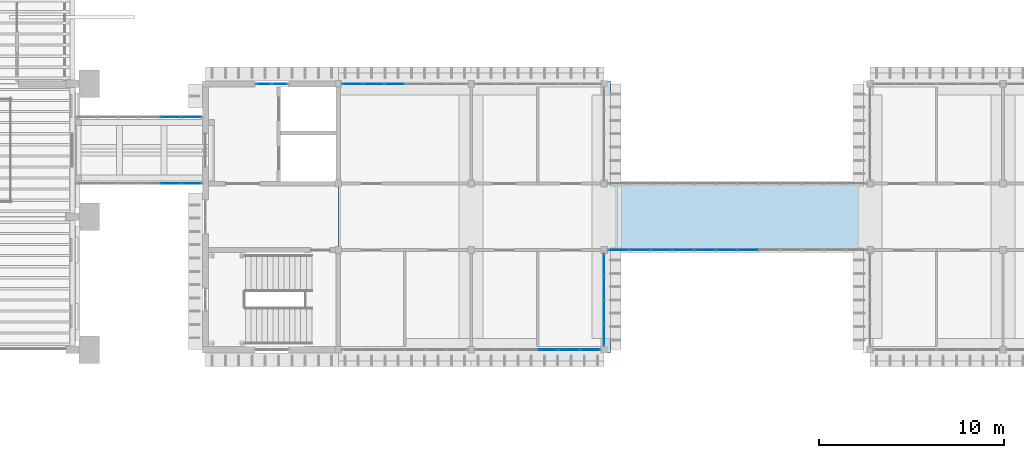
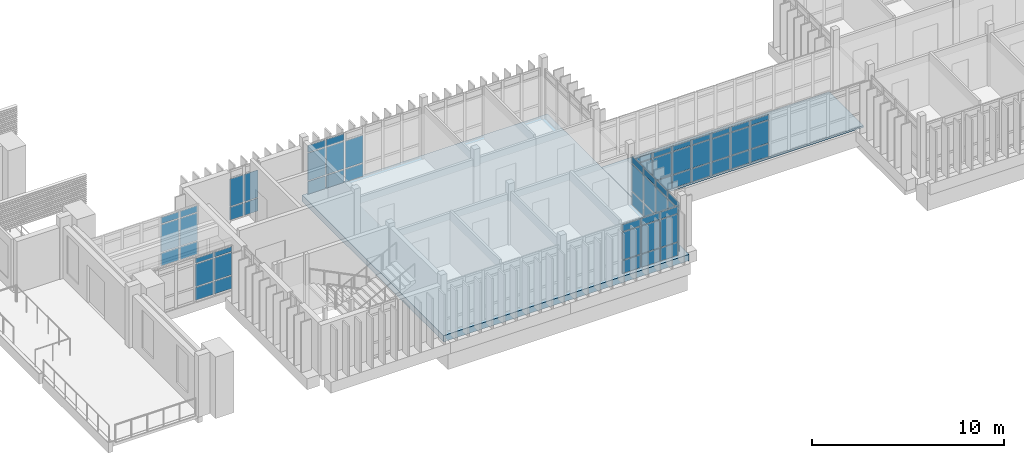
# One storey, part 31 of 69: 66 plates, 2 slabs, 7 elements without a shape of their own.
"""IFC4 building model written with IfcOpenShell, lengths in metres."""

from ifc_helpers import new_model, si_unit, direction, frame, origin, origin_2d, place, context, subcontext, project, spatial, polyline, rectangle, outline, extrude, material, layer, layer_set, type_object, element, aggregate, save


model = new_model("IFC4")

# Units and contexts
model_context = context("Model", 3, precision=1e-05, world=origin(), true_north=direction((0.0, 1.0)))
body_context = subcontext(model_context, "Body", "Model", "MODEL_VIEW")
ifc_project = project(units=[si_unit("LENGTHUNIT", "METRE"), si_unit("AREAUNIT", "SQUARE_METRE"), si_unit("VOLUMEUNIT", "CUBIC_METRE"), si_unit("PLANEANGLEUNIT", "RADIAN"), si_unit("MASSUNIT", "GRAM", prefix="KILO")], contexts=[model_context])

# Site, building, storey
site_placement = place(None, origin())
site = spatial("IfcSite", under=ifc_project, at=site_placement, CompositionType="ELEMENT")
building_placement = place(site_placement, origin())
building = spatial("IfcBuilding", under=site, at=building_placement, Name="Mazhai Court Health Centre", CompositionType="ELEMENT")
storey_placement = place(building_placement, frame((0.0, 0.0, 6.300048828125)))
storey = spatial("IfcBuildingStorey", under=building, at=storey_placement, Name="L01", CompositionType="ELEMENT", Elevation=6.300048828125)

# Slab
ifc_material_1 = material(Name="CLT C24 5-ply", Category="wood")
ifc_layer_1 = layer(ifc_material_1, 0.1201171875)
ifc_layer_set_1 = layer_set([ifc_layer_1], Name="CLT C24 5-ply 120 floor panel")
slab_type_1 = type_object("IfcSlabType", Name="CLT C24 5-ply 120 floor panel", PredefinedType="FLOOR", material=ifc_layer_set_1)
slab_1_placement = place(storey_placement, frame((0.0, 0.0, -0.1201171875)))
element("IfcSlab", 1, at=slab_1_placement, inside=storey, type_object=slab_type_1, Name="slab-BR-LC1", PredefinedType="FLOOR", context=body_context, shape_type="SweptSolid", body=[
    extrude(outline(polyline([(92.9599609375, 18.820068359375), (106.639892578125, 18.820068359375), (106.639892578125, 22.3798828125), (92.9599609375, 22.3798828125), (92.9599609375, 18.820068359375)])), origin(), (0.0, 0.0, 1.0), 0.1201171875),
])

# Curtain wall, plates
ifc_material_2 = material(Name="Teak timber frame, glazed", Category="wood")
ifc_layer_2 = layer(ifc_material_2, 0.10009765625)
ifc_layer_set_2 = layer_set([ifc_layer_2], Name="CURTAIN WALL TIMBER 900")
curtain_wall_type_1 = type_object("IfcCurtainWallType", Name="CURTAIN WALL TIMBER 900", PredefinedType="NOTDEFINED", material=ifc_layer_set_2)
curtain_wall_1_placement = place(storey_placement, origin())
curtain_wall_1 = element("IfcCurtainWall", 2, at=curtain_wall_1_placement, inside=storey, type_object=curtain_wall_type_1, Name="CW-V4-L01-B0", PredefinedType="NOTDEFINED")
ifc_material_3 = material(Name="Glass IGU 28 mm", Category="glass")
ifc_layer_3 = layer(ifc_material_3, 0.028076171875)
ifc_layer_set_3 = layer_set([ifc_layer_3], Name="CW PANEL IGU 28")
plate_type = type_object("IfcPlateType", Name="CW PANEL IGU 28", PredefinedType="CURTAIN_PANEL", material=ifc_layer_set_3)
plate_1_placement = place(storey_placement, frame((74.1650390625, 27.800048828125, 0.059814453125), z_axis=(0.0, 0.0, 1.0), x_axis=(1.0, 0.0, 0.0)))
plate_1 = element("IfcPlate", 3, at=plate_1_placement, type_object=plate_type, Name="CW panel 1.1", PredefinedType="CURTAIN_PANEL", context=body_context, shape_type="SweptSolid", body=[
    extrude(rectangle(XDim=0.81005859375, YDim=0.028076171875, at=origin_2d()), origin(), (0.0, 0.0, 1.0), 0.81005859375),
])
plate_2_placement = place(storey_placement, frame((74.1650390625, 27.800048828125, 0.93017578125), z_axis=(0.0, 0.0, 1.0), x_axis=(1.0, 0.0, 0.0)))
plate_2 = element("IfcPlate", 4, at=plate_2_placement, type_object=plate_type, Name="CW panel 1.2", PredefinedType="CURTAIN_PANEL", context=body_context, shape_type="SweptSolid", body=[
    extrude(rectangle(XDim=0.81005859375, YDim=0.028076171875, at=origin_2d()), origin(), (0.0, 0.0, 1.0), 1.739990234375),
])
plate_3_placement = place(storey_placement, frame((75.034912109375, 27.800048828125, 0.059814453125), z_axis=(0.0, 0.0, 1.0), x_axis=(1.0, 0.0, 0.0)))
plate_3 = element("IfcPlate", 5, at=plate_3_placement, type_object=plate_type, Name="CW panel 2.1", PredefinedType="CURTAIN_PANEL", context=body_context, shape_type="SweptSolid", body=[
    extrude(rectangle(XDim=0.81005859375, YDim=0.028076171875, at=origin_2d()), origin(), (0.0, 0.0, 1.0), 0.81005859375),
])
plate_4_placement = place(storey_placement, frame((75.034912109375, 27.800048828125, 0.93017578125), z_axis=(0.0, 0.0, 1.0), x_axis=(1.0, 0.0, 0.0)))
plate_4 = element("IfcPlate", 6, at=plate_4_placement, type_object=plate_type, Name="CW panel 2.2", PredefinedType="CURTAIN_PANEL", context=body_context, shape_type="SweptSolid", body=[
    extrude(rectangle(XDim=0.81005859375, YDim=0.028076171875, at=origin_2d()), origin(), (0.0, 0.0, 1.0), 1.739990234375),
])
aggregate(curtain_wall_1, [plate_1, plate_2, plate_3, plate_4])

ifc_material_4 = material(Name="Teak timber frame, glazed", Category="wood")
ifc_layer_4 = layer(ifc_material_4, 0.10009765625)
ifc_layer_set_4 = layer_set([ifc_layer_4], Name="CURTAIN WALL TIMBER 1200")
curtain_wall_type_2 = type_object("IfcCurtainWallType", Name="CURTAIN WALL TIMBER 1200", PredefinedType="NOTDEFINED", material=ifc_layer_set_4)
curtain_wall_2_placement = place(storey_placement, origin())
curtain_wall_2 = element("IfcCurtainWall", 7, at=curtain_wall_2_placement, inside=storey, type_object=curtain_wall_type_2, Name="CW-V4-L01-A2", PredefinedType="NOTDEFINED")
plate_5_placement = place(storey_placement, frame((91.8349609375, 13.39990234375, 0.059814453125), z_axis=(0.0, 0.0, 1.0), x_axis=(-1.0, 0.0, 0.0)))
plate_5 = element("IfcPlate", 8, at=plate_5_placement, type_object=plate_type, Name="CW panel 1.1", PredefinedType="CURTAIN_PANEL", context=body_context, shape_type="SweptSolid", body=[
    extrude(rectangle(XDim=1.050048828125, YDim=0.028076171875, at=origin_2d()), origin(), (0.0, 0.0, 1.0), 0.81005859375),
])
plate_6_placement = place(storey_placement, frame((91.8349609375, 13.39990234375, 0.93017578125), z_axis=(0.0, 0.0, 1.0), x_axis=(-1.0, 0.0, 0.0)))
plate_6 = element("IfcPlate", 9, at=plate_6_placement, type_object=plate_type, Name="CW panel 1.2", PredefinedType="CURTAIN_PANEL", context=body_context, shape_type="SweptSolid", body=[
    extrude(rectangle(XDim=1.050048828125, YDim=0.028076171875, at=origin_2d()), origin(), (0.0, 0.0, 1.0), 1.739990234375),
])
plate_7_placement = place(storey_placement, frame((91.8349609375, 13.39990234375, 2.72998046875), z_axis=(0.0, 0.0, 1.0), x_axis=(-1.0, 0.0, 0.0)))
plate_7 = element("IfcPlate", 10, at=plate_7_placement, type_object=plate_type, Name="CW panel 1.3", PredefinedType="CURTAIN_PANEL", context=body_context, shape_type="SweptSolid", body=[
    extrude(rectangle(XDim=1.050048828125, YDim=0.028076171875, at=origin_2d()), origin(), (0.0, 0.0, 1.0), 0.429931640625),
])
plate_8_placement = place(storey_placement, frame((90.7099609375, 13.39990234375, 0.059814453125), z_axis=(0.0, 0.0, 1.0), x_axis=(-1.0, 0.0, 0.0)))
plate_8 = element("IfcPlate", 11, at=plate_8_placement, type_object=plate_type, Name="CW panel 2.1", PredefinedType="CURTAIN_PANEL", context=body_context, shape_type="SweptSolid", body=[
    extrude(rectangle(XDim=1.080078125, YDim=0.028076171875, at=origin_2d()), origin(), (0.0, 0.0, 1.0), 0.81005859375),
])
plate_9_placement = place(storey_placement, frame((90.7099609375, 13.39990234375, 0.93017578125), z_axis=(0.0, 0.0, 1.0), x_axis=(-1.0, 0.0, 0.0)))
plate_9 = element("IfcPlate", 12, at=plate_9_placement, type_object=plate_type, Name="CW panel 2.2", PredefinedType="CURTAIN_PANEL", context=body_context, shape_type="SweptSolid", body=[
    extrude(rectangle(XDim=1.080078125, YDim=0.028076171875, at=origin_2d()), origin(), (0.0, 0.0, 1.0), 1.739990234375),
])
plate_10_placement = place(storey_placement, frame((90.7099609375, 13.39990234375, 2.72998046875), z_axis=(0.0, 0.0, 1.0), x_axis=(-1.0, 0.0, 0.0)))
plate_10 = element("IfcPlate", 13, at=plate_10_placement, type_object=plate_type, Name="CW panel 2.3", PredefinedType="CURTAIN_PANEL", context=body_context, shape_type="SweptSolid", body=[
    extrude(rectangle(XDim=1.080078125, YDim=0.028076171875, at=origin_2d()), origin(), (0.0, 0.0, 1.0), 0.429931640625),
])
plate_11_placement = place(storey_placement, frame((89.570068359375, 13.39990234375, 0.059814453125), z_axis=(0.0, 0.0, 1.0), x_axis=(-1.0, 0.0, 0.0)))
plate_11 = element("IfcPlate", 14, at=plate_11_placement, type_object=plate_type, Name="CW panel 3.1", PredefinedType="CURTAIN_PANEL", context=body_context, shape_type="SweptSolid", body=[
    extrude(rectangle(XDim=1.080078125, YDim=0.028076171875, at=origin_2d()), origin(), (0.0, 0.0, 1.0), 0.81005859375),
])
plate_12_placement = place(storey_placement, frame((89.570068359375, 13.39990234375, 0.93017578125), z_axis=(0.0, 0.0, 1.0), x_axis=(-1.0, 0.0, 0.0)))
plate_12 = element("IfcPlate", 15, at=plate_12_placement, type_object=plate_type, Name="CW panel 3.2", PredefinedType="CURTAIN_PANEL", context=body_context, shape_type="SweptSolid", body=[
    extrude(rectangle(XDim=1.080078125, YDim=0.028076171875, at=origin_2d()), origin(), (0.0, 0.0, 1.0), 1.739990234375),
])
plate_13_placement = place(storey_placement, frame((89.570068359375, 13.39990234375, 2.72998046875), z_axis=(0.0, 0.0, 1.0), x_axis=(-1.0, 0.0, 0.0)))
plate_13 = element("IfcPlate", 16, at=plate_13_placement, type_object=plate_type, Name="CW panel 3.3", PredefinedType="CURTAIN_PANEL", context=body_context, shape_type="SweptSolid", body=[
    extrude(rectangle(XDim=1.080078125, YDim=0.028076171875, at=origin_2d()), origin(), (0.0, 0.0, 1.0), 0.429931640625),
])
aggregate(curtain_wall_2, [plate_5, plate_6, plate_7, plate_8, plate_9, plate_10, plate_11, plate_12, plate_13])

curtain_wall_3_placement = place(storey_placement, origin())
curtain_wall_3 = element("IfcCurtainWall", 17, at=curtain_wall_3_placement, inside=storey, type_object=curtain_wall_type_2, Name="CW-V4-L01-B1", PredefinedType="NOTDEFINED")
plate_14_placement = place(storey_placement, frame((78.965087890625, 27.800048828125, 0.059814453125), z_axis=(0.0, 0.0, 1.0), x_axis=(1.0, 0.0, 0.0)))
plate_14 = element("IfcPlate", 18, at=plate_14_placement, type_object=plate_type, Name="CW panel 1.1", PredefinedType="CURTAIN_PANEL", context=body_context, shape_type="SweptSolid", body=[
    extrude(rectangle(XDim=1.050048828125, YDim=0.028076171875, at=origin_2d()), origin(), (0.0, 0.0, 1.0), 0.81005859375),
])
plate_15_placement = place(storey_placement, frame((78.965087890625, 27.800048828125, 0.93017578125), z_axis=(0.0, 0.0, 1.0), x_axis=(1.0, 0.0, 0.0)))
plate_15 = element("IfcPlate", 19, at=plate_15_placement, type_object=plate_type, Name="CW panel 1.2", PredefinedType="CURTAIN_PANEL", context=body_context, shape_type="SweptSolid", body=[
    extrude(rectangle(XDim=1.050048828125, YDim=0.028076171875, at=origin_2d()), origin(), (0.0, 0.0, 1.0), 1.739990234375),
])
plate_16_placement = place(storey_placement, frame((78.965087890625, 27.800048828125, 2.72998046875), z_axis=(0.0, 0.0, 1.0), x_axis=(1.0, 0.0, 0.0)))
plate_16 = element("IfcPlate", 20, at=plate_16_placement, type_object=plate_type, Name="CW panel 1.3", PredefinedType="CURTAIN_PANEL", context=body_context, shape_type="SweptSolid", body=[
    extrude(rectangle(XDim=1.050048828125, YDim=0.028076171875, at=origin_2d()), origin(), (0.0, 0.0, 1.0), 0.429931640625),
])
plate_17_placement = place(storey_placement, frame((80.090087890625, 27.800048828125, 0.059814453125), z_axis=(0.0, 0.0, 1.0), x_axis=(1.0, 0.0, 0.0)))
plate_17 = element("IfcPlate", 21, at=plate_17_placement, type_object=plate_type, Name="CW panel 2.1", PredefinedType="CURTAIN_PANEL", context=body_context, shape_type="SweptSolid", body=[
    extrude(rectangle(XDim=1.080078125, YDim=0.028076171875, at=origin_2d()), origin(), (0.0, 0.0, 1.0), 0.81005859375),
])
plate_18_placement = place(storey_placement, frame((80.090087890625, 27.800048828125, 0.93017578125), z_axis=(0.0, 0.0, 1.0), x_axis=(1.0, 0.0, 0.0)))
plate_18 = element("IfcPlate", 22, at=plate_18_placement, type_object=plate_type, Name="CW panel 2.2", PredefinedType="CURTAIN_PANEL", context=body_context, shape_type="SweptSolid", body=[
    extrude(rectangle(XDim=1.080078125, YDim=0.028076171875, at=origin_2d()), origin(), (0.0, 0.0, 1.0), 1.739990234375),
])
plate_19_placement = place(storey_placement, frame((80.090087890625, 27.800048828125, 2.72998046875), z_axis=(0.0, 0.0, 1.0), x_axis=(1.0, 0.0, 0.0)))
plate_19 = element("IfcPlate", 23, at=plate_19_placement, type_object=plate_type, Name="CW panel 2.3", PredefinedType="CURTAIN_PANEL", context=body_context, shape_type="SweptSolid", body=[
    extrude(rectangle(XDim=1.080078125, YDim=0.028076171875, at=origin_2d()), origin(), (0.0, 0.0, 1.0), 0.429931640625),
])
plate_20_placement = place(storey_placement, frame((81.22998046875, 27.800048828125, 0.059814453125), z_axis=(0.0, 0.0, 1.0), x_axis=(1.0, 0.0, 0.0)))
plate_20 = element("IfcPlate", 24, at=plate_20_placement, type_object=plate_type, Name="CW panel 3.1", PredefinedType="CURTAIN_PANEL", context=body_context, shape_type="SweptSolid", body=[
    extrude(rectangle(XDim=1.080078125, YDim=0.028076171875, at=origin_2d()), origin(), (0.0, 0.0, 1.0), 0.81005859375),
])
plate_21_placement = place(storey_placement, frame((81.22998046875, 27.800048828125, 0.93017578125), z_axis=(0.0, 0.0, 1.0), x_axis=(1.0, 0.0, 0.0)))
plate_21 = element("IfcPlate", 25, at=plate_21_placement, type_object=plate_type, Name="CW panel 3.2", PredefinedType="CURTAIN_PANEL", context=body_context, shape_type="SweptSolid", body=[
    extrude(rectangle(XDim=1.080078125, YDim=0.028076171875, at=origin_2d()), origin(), (0.0, 0.0, 1.0), 1.739990234375),
])
aggregate(curtain_wall_3, [plate_14, plate_15, plate_16, plate_17, plate_18, plate_19, plate_20, plate_21])

curtain_wall_4_placement = place(storey_placement, origin())
curtain_wall_4 = element("IfcCurtainWall", 26, at=curtain_wall_4_placement, inside=storey, type_object=curtain_wall_type_2, Name="CW-V4-L01-CE2-0", PredefinedType="NOTDEFINED")
plate_22_placement = place(storey_placement, frame((92.60009765625, 17.97509765625, 0.059814453125), z_axis=(0.0, 0.0, 1.0), x_axis=(0.0, -1.0, 0.0)))
plate_22 = element("IfcPlate", 27, at=plate_22_placement, type_object=plate_type, Name="CW panel 1.1", PredefinedType="CURTAIN_PANEL", context=body_context, shape_type="SweptSolid", body=[
    extrude(rectangle(XDim=1.169921875, YDim=0.028076171875, at=origin_2d()), origin(), (0.0, 0.0, 1.0), 0.81005859375),
])
plate_23_placement = place(storey_placement, frame((92.60009765625, 17.97509765625, 0.93017578125), z_axis=(0.0, 0.0, 1.0), x_axis=(0.0, -1.0, 0.0)))
plate_23 = element("IfcPlate", 28, at=plate_23_placement, type_object=plate_type, Name="CW panel 1.2", PredefinedType="CURTAIN_PANEL", context=body_context, shape_type="SweptSolid", body=[
    extrude(rectangle(XDim=1.169921875, YDim=0.028076171875, at=origin_2d()), origin(), (0.0, 0.0, 1.0), 1.739990234375),
])
plate_24_placement = place(storey_placement, frame((92.60009765625, 17.97509765625, 2.72998046875), z_axis=(0.0, 0.0, 1.0), x_axis=(0.0, -1.0, 0.0)))
plate_24 = element("IfcPlate", 29, at=plate_24_placement, type_object=plate_type, Name="CW panel 1.3", PredefinedType="CURTAIN_PANEL", context=body_context, shape_type="SweptSolid", body=[
    extrude(rectangle(XDim=1.169921875, YDim=0.028076171875, at=origin_2d()), origin(), (0.0, 0.0, 1.0), 0.409912109375),
])
plate_25_placement = place(storey_placement, frame((92.60009765625, 16.72998046875, 0.059814453125), z_axis=(0.0, 0.0, 1.0), x_axis=(0.0, -1.0, 0.0)))
plate_25 = element("IfcPlate", 30, at=plate_25_placement, type_object=plate_type, Name="CW panel 2.1", PredefinedType="CURTAIN_PANEL", context=body_context, shape_type="SweptSolid", body=[
    extrude(rectangle(XDim=1.199951171875, YDim=0.028076171875, at=origin_2d()), origin(), (0.0, 0.0, 1.0), 0.81005859375),
])
plate_26_placement = place(storey_placement, frame((92.60009765625, 16.72998046875, 0.93017578125), z_axis=(0.0, 0.0, 1.0), x_axis=(0.0, -1.0, 0.0)))
plate_26 = element("IfcPlate", 31, at=plate_26_placement, type_object=plate_type, Name="CW panel 2.2", PredefinedType="CURTAIN_PANEL", context=body_context, shape_type="SweptSolid", body=[
    extrude(rectangle(XDim=1.199951171875, YDim=0.028076171875, at=origin_2d()), origin(), (0.0, 0.0, 1.0), 1.739990234375),
])
plate_27_placement = place(storey_placement, frame((92.60009765625, 16.72998046875, 2.72998046875), z_axis=(0.0, 0.0, 1.0), x_axis=(0.0, -1.0, 0.0)))
plate_27 = element("IfcPlate", 32, at=plate_27_placement, type_object=plate_type, Name="CW panel 2.3", PredefinedType="CURTAIN_PANEL", context=body_context, shape_type="SweptSolid", body=[
    extrude(rectangle(XDim=1.199951171875, YDim=0.028076171875, at=origin_2d()), origin(), (0.0, 0.0, 1.0), 0.409912109375),
])
plate_28_placement = place(storey_placement, frame((92.60009765625, 15.469970703125, 0.059814453125), z_axis=(0.0, 0.0, 1.0), x_axis=(0.0, -1.0, 0.0)))
plate_28 = element("IfcPlate", 33, at=plate_28_placement, type_object=plate_type, Name="CW panel 3.1", PredefinedType="CURTAIN_PANEL", context=body_context, shape_type="SweptSolid", body=[
    extrude(rectangle(XDim=1.199951171875, YDim=0.028076171875, at=origin_2d()), origin(), (0.0, 0.0, 1.0), 0.81005859375),
])
plate_29_placement = place(storey_placement, frame((92.60009765625, 15.469970703125, 0.93017578125), z_axis=(0.0, 0.0, 1.0), x_axis=(0.0, -1.0, 0.0)))
plate_29 = element("IfcPlate", 34, at=plate_29_placement, type_object=plate_type, Name="CW panel 3.2", PredefinedType="CURTAIN_PANEL", context=body_context, shape_type="SweptSolid", body=[
    extrude(rectangle(XDim=1.199951171875, YDim=0.028076171875, at=origin_2d()), origin(), (0.0, 0.0, 1.0), 1.739990234375),
])
plate_30_placement = place(storey_placement, frame((92.60009765625, 15.469970703125, 2.72998046875), z_axis=(0.0, 0.0, 1.0), x_axis=(0.0, -1.0, 0.0)))
plate_30 = element("IfcPlate", 35, at=plate_30_placement, type_object=plate_type, Name="CW panel 3.3", PredefinedType="CURTAIN_PANEL", context=body_context, shape_type="SweptSolid", body=[
    extrude(rectangle(XDim=1.199951171875, YDim=0.028076171875, at=origin_2d()), origin(), (0.0, 0.0, 1.0), 0.409912109375),
])
plate_31_placement = place(storey_placement, frame((92.60009765625, 14.22509765625, 0.059814453125), z_axis=(0.0, 0.0, 1.0), x_axis=(0.0, -1.0, 0.0)))
plate_31 = element("IfcPlate", 36, at=plate_31_placement, type_object=plate_type, Name="CW panel 4.1", PredefinedType="CURTAIN_PANEL", context=body_context, shape_type="SweptSolid", body=[
    extrude(rectangle(XDim=1.169921875, YDim=0.028076171875, at=origin_2d()), origin(), (0.0, 0.0, 1.0), 0.81005859375),
])
plate_32_placement = place(storey_placement, frame((92.60009765625, 14.22509765625, 0.93017578125), z_axis=(0.0, 0.0, 1.0), x_axis=(0.0, -1.0, 0.0)))
plate_32 = element("IfcPlate", 37, at=plate_32_placement, type_object=plate_type, Name="CW panel 4.2", PredefinedType="CURTAIN_PANEL", context=body_context, shape_type="SweptSolid", body=[
    extrude(rectangle(XDim=1.169921875, YDim=0.028076171875, at=origin_2d()), origin(), (0.0, 0.0, 1.0), 1.739990234375),
])
plate_33_placement = place(storey_placement, frame((92.60009765625, 14.22509765625, 2.72998046875), z_axis=(0.0, 0.0, 1.0), x_axis=(0.0, -1.0, 0.0)))
plate_33 = element("IfcPlate", 38, at=plate_33_placement, type_object=plate_type, Name="CW panel 4.3", PredefinedType="CURTAIN_PANEL", context=body_context, shape_type="SweptSolid", body=[
    extrude(rectangle(XDim=1.169921875, YDim=0.028076171875, at=origin_2d()), origin(), (0.0, 0.0, 1.0), 0.409912109375),
])
aggregate(curtain_wall_4, [plate_22, plate_23, plate_24, plate_25, plate_26, plate_27, plate_28, plate_29, plate_30, plate_31, plate_32, plate_33])

curtain_wall_5_placement = place(storey_placement, origin())
curtain_wall_5 = element("IfcCurtainWall", 39, at=curtain_wall_5_placement, inside=storey, type_object=curtain_wall_type_2, Name="CW-BR-LC1-S", PredefinedType="NOTDEFINED")
plate_34_placement = place(storey_placement, frame((93.3798828125, 18.800048828125, 0.059814453125), z_axis=(0.0, 0.0, 1.0), x_axis=(1.0, 0.0, 0.0)))
plate_34 = element("IfcPlate", 40, at=plate_34_placement, type_object=plate_type, Name="CW panel 1.1", PredefinedType="CURTAIN_PANEL", context=body_context, shape_type="SweptSolid", body=[
    extrude(rectangle(XDim=1.080078125, YDim=0.028076171875, at=origin_2d()), origin(), (0.0, 0.0, 1.0), 0.81005859375),
])
plate_35_placement = place(storey_placement, frame((93.3798828125, 18.800048828125, 0.929931640625), z_axis=(0.0, 0.0, 1.0), x_axis=(1.0, 0.0, 0.0)))
plate_35 = element("IfcPlate", 41, at=plate_35_placement, type_object=plate_type, Name="CW panel 1.2", PredefinedType="CURTAIN_PANEL", context=body_context, shape_type="SweptSolid", body=[
    extrude(rectangle(XDim=1.080078125, YDim=0.028076171875, at=origin_2d()), origin(), (0.0, 0.0, 1.0), 1.419921875),
])
plate_36_placement = place(storey_placement, frame((93.3798828125, 18.800048828125, 2.409912109375), z_axis=(0.0, 0.0, 1.0), x_axis=(1.0, 0.0, 0.0)))
plate_36 = element("IfcPlate", 42, at=plate_36_placement, type_object=plate_type, Name="CW panel 1.3", PredefinedType="CURTAIN_PANEL", context=body_context, shape_type="SweptSolid", body=[
    extrude(rectangle(XDim=1.080078125, YDim=0.028076171875, at=origin_2d()), origin(), (0.0, 0.0, 1.0), 0.31005859375),
])
plate_37_placement = place(storey_placement, frame((94.534912109375, 18.800048828125, 0.059814453125), z_axis=(0.0, 0.0, 1.0), x_axis=(1.0, 0.0, 0.0)))
plate_37 = element("IfcPlate", 43, at=plate_37_placement, type_object=plate_type, Name="CW panel 2.1", PredefinedType="CURTAIN_PANEL", context=body_context, shape_type="SweptSolid", body=[
    extrude(rectangle(XDim=1.110107421875, YDim=0.028076171875, at=origin_2d()), origin(), (0.0, 0.0, 1.0), 0.81005859375),
])
plate_38_placement = place(storey_placement, frame((94.534912109375, 18.800048828125, 0.929931640625), z_axis=(0.0, 0.0, 1.0), x_axis=(1.0, 0.0, 0.0)))
plate_38 = element("IfcPlate", 44, at=plate_38_placement, type_object=plate_type, Name="CW panel 2.2", PredefinedType="CURTAIN_PANEL", context=body_context, shape_type="SweptSolid", body=[
    extrude(rectangle(XDim=1.110107421875, YDim=0.028076171875, at=origin_2d()), origin(), (0.0, 0.0, 1.0), 1.419921875),
])
plate_39_placement = place(storey_placement, frame((94.534912109375, 18.800048828125, 2.409912109375), z_axis=(0.0, 0.0, 1.0), x_axis=(1.0, 0.0, 0.0)))
plate_39 = element("IfcPlate", 45, at=plate_39_placement, type_object=plate_type, Name="CW panel 2.3", PredefinedType="CURTAIN_PANEL", context=body_context, shape_type="SweptSolid", body=[
    extrude(rectangle(XDim=1.110107421875, YDim=0.028076171875, at=origin_2d()), origin(), (0.0, 0.0, 1.0), 0.31005859375),
])
plate_40_placement = place(storey_placement, frame((95.705078125, 18.800048828125, 0.059814453125), z_axis=(0.0, 0.0, 1.0), x_axis=(1.0, 0.0, 0.0)))
plate_40 = element("IfcPlate", 46, at=plate_40_placement, type_object=plate_type, Name="CW panel 3.1", PredefinedType="CURTAIN_PANEL", context=body_context, shape_type="SweptSolid", body=[
    extrude(rectangle(XDim=1.110107421875, YDim=0.028076171875, at=origin_2d()), origin(), (0.0, 0.0, 1.0), 0.81005859375),
])
plate_41_placement = place(storey_placement, frame((95.705078125, 18.800048828125, 0.929931640625), z_axis=(0.0, 0.0, 1.0), x_axis=(1.0, 0.0, 0.0)))
plate_41 = element("IfcPlate", 47, at=plate_41_placement, type_object=plate_type, Name="CW panel 3.2", PredefinedType="CURTAIN_PANEL", context=body_context, shape_type="SweptSolid", body=[
    extrude(rectangle(XDim=1.110107421875, YDim=0.028076171875, at=origin_2d()), origin(), (0.0, 0.0, 1.0), 1.419921875),
])
plate_42_placement = place(storey_placement, frame((95.705078125, 18.800048828125, 2.409912109375), z_axis=(0.0, 0.0, 1.0), x_axis=(1.0, 0.0, 0.0)))
plate_42 = element("IfcPlate", 48, at=plate_42_placement, type_object=plate_type, Name="CW panel 3.3", PredefinedType="CURTAIN_PANEL", context=body_context, shape_type="SweptSolid", body=[
    extrude(rectangle(XDim=1.110107421875, YDim=0.028076171875, at=origin_2d()), origin(), (0.0, 0.0, 1.0), 0.31005859375),
])
plate_43_placement = place(storey_placement, frame((96.875, 18.800048828125, 0.059814453125), z_axis=(0.0, 0.0, 1.0), x_axis=(1.0, 0.0, 0.0)))
plate_43 = element("IfcPlate", 49, at=plate_43_placement, type_object=plate_type, Name="CW panel 4.1", PredefinedType="CURTAIN_PANEL", context=body_context, shape_type="SweptSolid", body=[
    extrude(rectangle(XDim=1.110107421875, YDim=0.028076171875, at=origin_2d()), origin(), (0.0, 0.0, 1.0), 0.81005859375),
])
plate_44_placement = place(storey_placement, frame((96.875, 18.800048828125, 0.929931640625), z_axis=(0.0, 0.0, 1.0), x_axis=(1.0, 0.0, 0.0)))
plate_44 = element("IfcPlate", 50, at=plate_44_placement, type_object=plate_type, Name="CW panel 4.2", PredefinedType="CURTAIN_PANEL", context=body_context, shape_type="SweptSolid", body=[
    extrude(rectangle(XDim=1.110107421875, YDim=0.028076171875, at=origin_2d()), origin(), (0.0, 0.0, 1.0), 1.419921875),
])
plate_45_placement = place(storey_placement, frame((96.875, 18.800048828125, 2.409912109375), z_axis=(0.0, 0.0, 1.0), x_axis=(1.0, 0.0, 0.0)))
plate_45 = element("IfcPlate", 51, at=plate_45_placement, type_object=plate_type, Name="CW panel 4.3", PredefinedType="CURTAIN_PANEL", context=body_context, shape_type="SweptSolid", body=[
    extrude(rectangle(XDim=1.110107421875, YDim=0.028076171875, at=origin_2d()), origin(), (0.0, 0.0, 1.0), 0.31005859375),
])
plate_46_placement = place(storey_placement, frame((98.044921875, 18.800048828125, 0.059814453125), z_axis=(0.0, 0.0, 1.0), x_axis=(1.0, 0.0, 0.0)))
plate_46 = element("IfcPlate", 52, at=plate_46_placement, type_object=plate_type, Name="CW panel 5.1", PredefinedType="CURTAIN_PANEL", context=body_context, shape_type="SweptSolid", body=[
    extrude(rectangle(XDim=1.110107421875, YDim=0.028076171875, at=origin_2d()), origin(), (0.0, 0.0, 1.0), 0.81005859375),
])
plate_47_placement = place(storey_placement, frame((98.044921875, 18.800048828125, 0.929931640625), z_axis=(0.0, 0.0, 1.0), x_axis=(1.0, 0.0, 0.0)))
plate_47 = element("IfcPlate", 53, at=plate_47_placement, type_object=plate_type, Name="CW panel 5.2", PredefinedType="CURTAIN_PANEL", context=body_context, shape_type="SweptSolid", body=[
    extrude(rectangle(XDim=1.110107421875, YDim=0.028076171875, at=origin_2d()), origin(), (0.0, 0.0, 1.0), 1.419921875),
])
plate_48_placement = place(storey_placement, frame((98.044921875, 18.800048828125, 2.409912109375), z_axis=(0.0, 0.0, 1.0), x_axis=(1.0, 0.0, 0.0)))
plate_48 = element("IfcPlate", 54, at=plate_48_placement, type_object=plate_type, Name="CW panel 5.3", PredefinedType="CURTAIN_PANEL", context=body_context, shape_type="SweptSolid", body=[
    extrude(rectangle(XDim=1.110107421875, YDim=0.028076171875, at=origin_2d()), origin(), (0.0, 0.0, 1.0), 0.31005859375),
])
plate_49_placement = place(storey_placement, frame((99.215087890625, 18.800048828125, 0.059814453125), z_axis=(0.0, 0.0, 1.0), x_axis=(1.0, 0.0, 0.0)))
plate_49 = element("IfcPlate", 55, at=plate_49_placement, type_object=plate_type, Name="CW panel 6.1", PredefinedType="CURTAIN_PANEL", context=body_context, shape_type="SweptSolid", body=[
    extrude(rectangle(XDim=1.110107421875, YDim=0.028076171875, at=origin_2d()), origin(), (0.0, 0.0, 1.0), 0.81005859375),
])
plate_50_placement = place(storey_placement, frame((99.215087890625, 18.800048828125, 0.929931640625), z_axis=(0.0, 0.0, 1.0), x_axis=(1.0, 0.0, 0.0)))
plate_50 = element("IfcPlate", 56, at=plate_50_placement, type_object=plate_type, Name="CW panel 6.2", PredefinedType="CURTAIN_PANEL", context=body_context, shape_type="SweptSolid", body=[
    extrude(rectangle(XDim=1.110107421875, YDim=0.028076171875, at=origin_2d()), origin(), (0.0, 0.0, 1.0), 1.419921875),
])
plate_51_placement = place(storey_placement, frame((99.215087890625, 18.800048828125, 2.409912109375), z_axis=(0.0, 0.0, 1.0), x_axis=(1.0, 0.0, 0.0)))
plate_51 = element("IfcPlate", 57, at=plate_51_placement, type_object=plate_type, Name="CW panel 6.3", PredefinedType="CURTAIN_PANEL", context=body_context, shape_type="SweptSolid", body=[
    extrude(rectangle(XDim=1.110107421875, YDim=0.028076171875, at=origin_2d()), origin(), (0.0, 0.0, 1.0), 0.31005859375),
])
plate_52_placement = place(storey_placement, frame((100.385009765625, 18.800048828125, 0.059814453125), z_axis=(0.0, 0.0, 1.0), x_axis=(1.0, 0.0, 0.0)))
plate_52 = element("IfcPlate", 58, at=plate_52_placement, type_object=plate_type, Name="CW panel 7.1", PredefinedType="CURTAIN_PANEL", context=body_context, shape_type="SweptSolid", body=[
    extrude(rectangle(XDim=1.110107421875, YDim=0.028076171875, at=origin_2d()), origin(), (0.0, 0.0, 1.0), 0.81005859375),
])
plate_53_placement = place(storey_placement, frame((100.385009765625, 18.800048828125, 0.929931640625), z_axis=(0.0, 0.0, 1.0), x_axis=(1.0, 0.0, 0.0)))
plate_53 = element("IfcPlate", 59, at=plate_53_placement, type_object=plate_type, Name="CW panel 7.2", PredefinedType="CURTAIN_PANEL", context=body_context, shape_type="SweptSolid", body=[
    extrude(rectangle(XDim=1.110107421875, YDim=0.028076171875, at=origin_2d()), origin(), (0.0, 0.0, 1.0), 1.419921875),
])
plate_54_placement = place(storey_placement, frame((100.385009765625, 18.800048828125, 2.409912109375), z_axis=(0.0, 0.0, 1.0), x_axis=(1.0, 0.0, 0.0)))
plate_54 = element("IfcPlate", 60, at=plate_54_placement, type_object=plate_type, Name="CW panel 7.3", PredefinedType="CURTAIN_PANEL", context=body_context, shape_type="SweptSolid", body=[
    extrude(rectangle(XDim=1.110107421875, YDim=0.028076171875, at=origin_2d()), origin(), (0.0, 0.0, 1.0), 0.31005859375),
])
aggregate(curtain_wall_5, [plate_34, plate_35, plate_36, plate_37, plate_38, plate_39, plate_40, plate_41, plate_42, plate_43, plate_44, plate_45, plate_46, plate_47, plate_48, plate_49, plate_50, plate_51, plate_52, plate_53, plate_54])

curtain_wall_6_placement = place(storey_placement, origin())
curtain_wall_6 = element("IfcCurtainWall", 61, at=curtain_wall_6_placement, inside=storey, type_object=curtain_wall_type_2, Name="CW-BR-P2-S", PredefinedType="NOTDEFINED")
plate_55_placement = place(storey_placement, frame((69.117431640625, 22.39990234375, 0.059814453125), z_axis=(0.0, 0.0, 1.0), x_axis=(1.0, 0.0, 0.0)))
plate_55 = element("IfcPlate", 62, at=plate_55_placement, type_object=plate_type, Name="CW panel 5.1", PredefinedType="CURTAIN_PANEL", context=body_context, shape_type="SweptSolid", body=[
    extrude(rectangle(XDim=1.0849609375, YDim=0.028076171875, at=origin_2d()), origin(), (0.0, 0.0, 1.0), 0.81005859375),
])
plate_56_placement = place(storey_placement, frame((69.117431640625, 22.39990234375, 0.929931640625), z_axis=(0.0, 0.0, 1.0), x_axis=(1.0, 0.0, 0.0)))
plate_56 = element("IfcPlate", 63, at=plate_56_placement, type_object=plate_type, Name="CW panel 5.2", PredefinedType="CURTAIN_PANEL", context=body_context, shape_type="SweptSolid", body=[
    extrude(rectangle(XDim=1.0849609375, YDim=0.028076171875, at=origin_2d()), origin(), (0.0, 0.0, 1.0), 1.419921875),
])
plate_57_placement = place(storey_placement, frame((69.117431640625, 22.39990234375, 2.409912109375), z_axis=(0.0, 0.0, 1.0), x_axis=(1.0, 0.0, 0.0)))
plate_57 = element("IfcPlate", 64, at=plate_57_placement, type_object=plate_type, Name="CW panel 5.3", PredefinedType="CURTAIN_PANEL", context=body_context, shape_type="SweptSolid", body=[
    extrude(rectangle(XDim=1.0849609375, YDim=0.028076171875, at=origin_2d()), origin(), (0.0, 0.0, 1.0), 0.31005859375),
])
plate_58_placement = place(storey_placement, frame((70.24755859375, 22.39990234375, 0.059814453125), z_axis=(0.0, 0.0, 1.0), x_axis=(1.0, 0.0, 0.0)))
plate_58 = element("IfcPlate", 65, at=plate_58_placement, type_object=plate_type, Name="CW panel 6.1", PredefinedType="CURTAIN_PANEL", context=body_context, shape_type="SweptSolid", body=[
    extrude(rectangle(XDim=1.054931640625, YDim=0.028076171875, at=origin_2d()), origin(), (0.0, 0.0, 1.0), 0.81005859375),
])
plate_59_placement = place(storey_placement, frame((70.24755859375, 22.39990234375, 0.929931640625), z_axis=(0.0, 0.0, 1.0), x_axis=(1.0, 0.0, 0.0)))
plate_59 = element("IfcPlate", 66, at=plate_59_placement, type_object=plate_type, Name="CW panel 6.2", PredefinedType="CURTAIN_PANEL", context=body_context, shape_type="SweptSolid", body=[
    extrude(rectangle(XDim=1.054931640625, YDim=0.028076171875, at=origin_2d()), origin(), (0.0, 0.0, 1.0), 1.419921875),
])
plate_60_placement = place(storey_placement, frame((70.24755859375, 22.39990234375, 2.409912109375), z_axis=(0.0, 0.0, 1.0), x_axis=(1.0, 0.0, 0.0)))
plate_60 = element("IfcPlate", 67, at=plate_60_placement, type_object=plate_type, Name="CW panel 6.3", PredefinedType="CURTAIN_PANEL", context=body_context, shape_type="SweptSolid", body=[
    extrude(rectangle(XDim=1.054931640625, YDim=0.028076171875, at=origin_2d()), origin(), (0.0, 0.0, 1.0), 0.31005859375),
])
aggregate(curtain_wall_6, [plate_55, plate_56, plate_57, plate_58, plate_59, plate_60])

curtain_wall_7_placement = place(storey_placement, origin())
curtain_wall_7 = element("IfcCurtainWall", 68, at=curtain_wall_7_placement, inside=storey, type_object=curtain_wall_type_2, Name="CW-BR-P2-N", PredefinedType="NOTDEFINED")
plate_61_placement = place(storey_placement, frame((69.117431640625, 26.0, 0.059814453125), z_axis=(0.0, 0.0, 1.0), x_axis=(1.0, 0.0, 0.0)))
plate_61 = element("IfcPlate", 69, at=plate_61_placement, type_object=plate_type, Name="CW panel 5.1", PredefinedType="CURTAIN_PANEL", context=body_context, shape_type="SweptSolid", body=[
    extrude(rectangle(XDim=1.0849609375, YDim=0.028076171875, at=origin_2d()), origin(), (0.0, 0.0, 1.0), 0.81005859375),
])
plate_62_placement = place(storey_placement, frame((69.117431640625, 26.0, 0.93017578125), z_axis=(0.0, 0.0, 1.0), x_axis=(1.0, 0.0, 0.0)))
plate_62 = element("IfcPlate", 70, at=plate_62_placement, type_object=plate_type, Name="CW panel 5.2", PredefinedType="CURTAIN_PANEL", context=body_context, shape_type="SweptSolid", body=[
    extrude(rectangle(XDim=1.0849609375, YDim=0.028076171875, at=origin_2d()), origin(), (0.0, 0.0, 1.0), 1.739990234375),
])
plate_63_placement = place(storey_placement, frame((69.117431640625, 26.0, 2.72998046875), z_axis=(0.0, 0.0, 1.0), x_axis=(1.0, 0.0, 0.0)))
plate_63 = element("IfcPlate", 71, at=plate_63_placement, type_object=plate_type, Name="CW panel 5.3", PredefinedType="CURTAIN_PANEL", context=body_context, shape_type="SweptSolid", body=[
    extrude(rectangle(XDim=1.0849609375, YDim=0.028076171875, at=origin_2d()), origin(), (0.0, 0.0, 1.0), 0.409912109375),
])
plate_64_placement = place(storey_placement, frame((70.24755859375, 26.0, 0.059814453125), z_axis=(0.0, 0.0, 1.0), x_axis=(1.0, 0.0, 0.0)))
plate_64 = element("IfcPlate", 72, at=plate_64_placement, type_object=plate_type, Name="CW panel 6.1", PredefinedType="CURTAIN_PANEL", context=body_context, shape_type="SweptSolid", body=[
    extrude(rectangle(XDim=1.054931640625, YDim=0.028076171875, at=origin_2d()), origin(), (0.0, 0.0, 1.0), 0.81005859375),
])
plate_65_placement = place(storey_placement, frame((70.24755859375, 26.0, 0.93017578125), z_axis=(0.0, 0.0, 1.0), x_axis=(1.0, 0.0, 0.0)))
plate_65 = element("IfcPlate", 73, at=plate_65_placement, type_object=plate_type, Name="CW panel 6.2", PredefinedType="CURTAIN_PANEL", context=body_context, shape_type="SweptSolid", body=[
    extrude(rectangle(XDim=1.054931640625, YDim=0.028076171875, at=origin_2d()), origin(), (0.0, 0.0, 1.0), 1.739990234375),
])
plate_66_placement = place(storey_placement, frame((70.24755859375, 26.0, 2.72998046875), z_axis=(0.0, 0.0, 1.0), x_axis=(1.0, 0.0, 0.0)))
plate_66 = element("IfcPlate", 74, at=plate_66_placement, type_object=plate_type, Name="CW panel 6.3", PredefinedType="CURTAIN_PANEL", context=body_context, shape_type="SweptSolid", body=[
    extrude(rectangle(XDim=1.054931640625, YDim=0.028076171875, at=origin_2d()), origin(), (0.0, 0.0, 1.0), 0.409912109375),
])
aggregate(curtain_wall_7, [plate_61, plate_62, plate_63, plate_64, plate_65, plate_66])

# Slab
ifc_material_5 = material(Name="Concrete M40", Category="concrete")
ifc_layer_5 = layer(ifc_material_5, 0.39990234375)
ifc_layer_set_5 = layer_set([ifc_layer_5], Name="TRANSFER DECK SLAB 400 M40")
slab_type_2 = type_object("IfcSlabType", Name="TRANSFER DECK SLAB 400 M40", PredefinedType="FLOOR", material=ifc_layer_set_5)
slab_2_placement = place(storey_placement, frame((0.0, 0.0, -0.400146484375)))
element("IfcSlab", 75, at=slab_2_placement, inside=storey, type_object=slab_type_2, Name="slab-deck-W", PredefinedType="FLOOR", context=body_context, shape_type="SweptSolid", body=[
    extrude(outline(polyline([(92.949951171875, 13.235107421875), (92.949951171875, 27.965087890625), (78.199951171875, 27.965087890625), (78.199951171875, 13.235107421875), (92.949951171875, 13.235107421875)])), origin(), (0.0, 0.0, 1.0), 0.400146484375),
])

save(model, "model.ifc")
